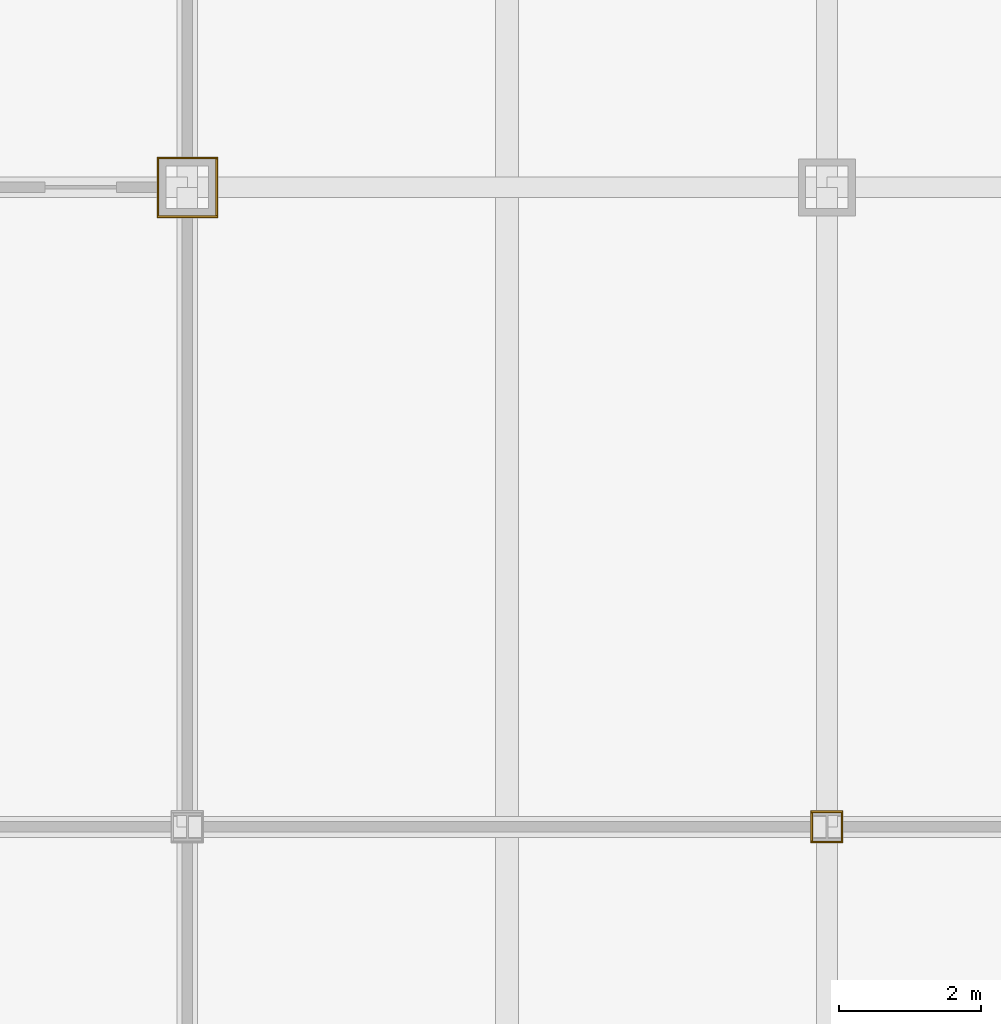
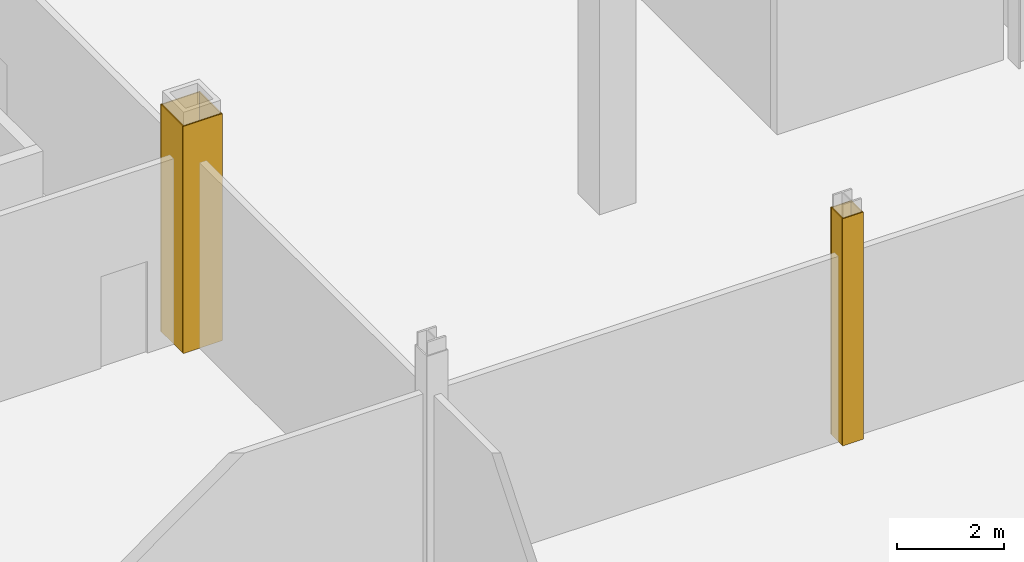
# One storey, part 18 of 27: 8 coverings.
"""IFC4 building model written with IfcOpenShell, lengths in metres."""

from ifc_helpers import new_model, si_unit, direction, frame, origin, origin_2d, place, context, subcontext, project, spatial, rectangle, extrude, material, layer, layer_set, type_object, element, save


model = new_model("IFC4")

# Units and contexts
model_context = context("Model", 3, precision=1e-05, world=origin(), true_north=direction((0.0, 1.0)))
body_context = subcontext(model_context, "Body", "Model", "MODEL_VIEW")
ifc_project = project(units=[si_unit("LENGTHUNIT", "METRE"), si_unit("AREAUNIT", "SQUARE_METRE"), si_unit("VOLUMEUNIT", "CUBIC_METRE"), si_unit("PLANEANGLEUNIT", "RADIAN"), si_unit("MASSUNIT", "GRAM", prefix="KILO")], contexts=[model_context])

# Site, building, storey
site_placement = place(None, origin())
site = spatial("IfcSite", under=ifc_project, at=site_placement, CompositionType="ELEMENT")
building_placement = place(site_placement, origin())
building = spatial("IfcBuilding", under=site, at=building_placement, Name="Loomwork Tower", CompositionType="ELEMENT")
storey_placement = place(building_placement, frame((0.0, 0.0, -5.5)))
storey = spatial("IfcBuildingStorey", under=building, at=storey_placement, Name="B1", CompositionType="ELEMENT", Elevation=-5.5)

# Coverings
ifc_material = material(Name="Two-hour fire-rated gypsum board casing")
ifc_layer = layer(ifc_material, 0.02490234375)
ifc_layer_set = layer_set([ifc_layer], Name="Column fire casing 25")
covering_type = type_object("IfcCoveringType", Name="Column fire casing 25", PredefinedType="CLADDING", material=ifc_layer_set)
for number, where, z_axis, x_axis, name in (
    (1, (45.0, 0.41259765625, 0.0), (0.0, 0.0, 1.0), (1.0, 0.0, 0.0), "Column casing 45 0 B1"),
    (2, (45.0, -0.41259765625, 0.0), (0.0, 0.0, 1.0), (1.0, 0.0, 0.0), "Column casing 45 0 B1"),
):
    element("IfcCovering", number, at=place(storey_placement, frame(where, z_axis=z_axis, x_axis=x_axis)), inside=storey, type_object=covering_type, Name=name, PredefinedType="CLADDING", context=body_context, shape_type="SweptSolid", body=[
        extrude(rectangle(XDim=0.85009765625, YDim=0.02490234375, at=origin_2d()), origin(), (0.0, 0.0, 1.0), 5.199951171875),
    ])
for number, where, z_axis, x_axis, name in (
    (3, (45.41259765625, 0.0, 0.0), (0.0, 0.0, 1.0), (1.0, 0.0, 0.0), "Column casing 45 0 B1"),
    (4, (44.58740234375, 0.0, 0.0), (0.0, 0.0, 1.0), (1.0, 0.0, 0.0), "Column casing 45 0 B1"),
):
    element("IfcCovering", number, at=place(storey_placement, frame(where, z_axis=z_axis, x_axis=x_axis)), inside=storey, type_object=covering_type, Name=name, PredefinedType="CLADDING", context=body_context, shape_type="SweptSolid", body=[
        extrude(rectangle(XDim=0.02490234375, YDim=0.800048828125, at=origin_2d()), origin(), (0.0, 0.0, 1.0), 5.199951171875),
    ])
for number, where, z_axis, x_axis, name in (
    (5, (54.0, -8.7880859375, 0.0), (0.0, 0.0, 1.0), (1.0, 0.0, 0.0), "Column casing 54 -9 B1"),
    (6, (54.0, -9.2119140625, 0.0), (0.0, 0.0, 1.0), (1.0, 0.0, 0.0), "Column casing 54 -9 B1"),
):
    element("IfcCovering", number, at=place(storey_placement, frame(where, z_axis=z_axis, x_axis=x_axis)), inside=storey, type_object=covering_type, Name=name, PredefinedType="CLADDING", context=body_context, shape_type="SweptSolid", body=[
        extrude(rectangle(XDim=0.451416015625, YDim=0.02490234375, at=origin_2d()), origin(), (0.0, 0.0, 1.0), 5.199951171875),
    ])
for number, where, z_axis, x_axis, name in (
    (7, (54.213134765625, -9.0, 0.0), (0.0, 0.0, 1.0), (1.0, 0.0, 0.0), "Column casing 54 -9 B1"),
    (8, (53.786865234375, -9.0, 0.0), (0.0, 0.0, 1.0), (1.0, 0.0, 0.0), "Column casing 54 -9 B1"),
):
    element("IfcCovering", number, at=place(storey_placement, frame(where, z_axis=z_axis, x_axis=x_axis)), inside=storey, type_object=covering_type, Name=name, PredefinedType="CLADDING", context=body_context, shape_type="SweptSolid", body=[
        extrude(rectangle(XDim=0.02490234375, YDim=0.398681640625, at=origin_2d()), origin(), (0.0, 0.0, 1.0), 5.199951171875),
    ])

save(model, "model.ifc")
